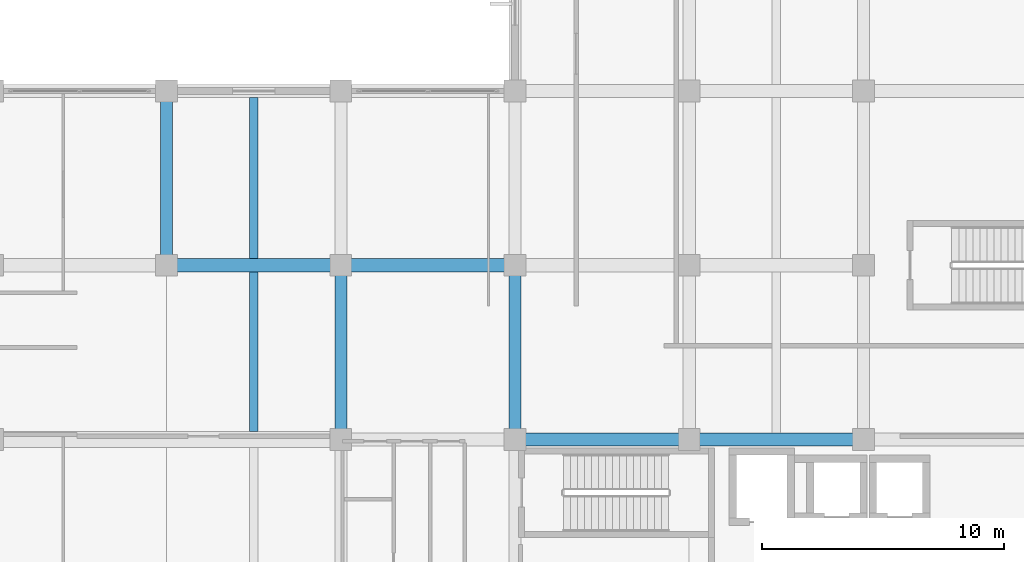
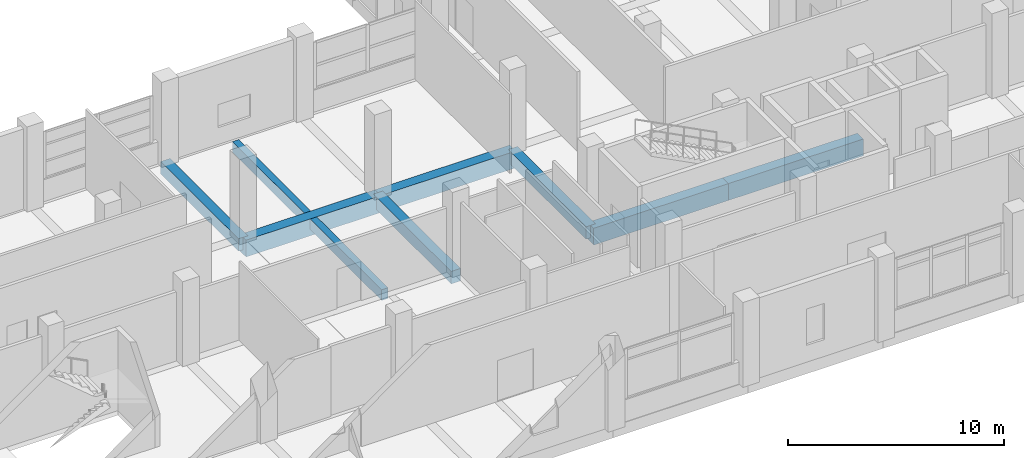
# One storey, part 36 of 181: 9 beams.
"""IFC4 building model written with IfcOpenShell, lengths in metres."""

from ifc_helpers import new_model, si_unit, direction, frame, origin, origin_2d, place, context, subcontext, project, spatial, rectangle, extrude, material, material_profile, profile_set, type_object, element, save


model = new_model("IFC4")

# Units and contexts
model_context = context("Model", 3, precision=1e-05, world=origin(), true_north=direction((0.0, 1.0)))
body_context = subcontext(model_context, "Body", "Model", "MODEL_VIEW")
ifc_project = project(units=[si_unit("LENGTHUNIT", "METRE"), si_unit("AREAUNIT", "SQUARE_METRE"), si_unit("VOLUMEUNIT", "CUBIC_METRE"), si_unit("PLANEANGLEUNIT", "RADIAN"), si_unit("MASSUNIT", "GRAM", prefix="KILO")], contexts=[model_context])

# Site, building, storey
site_placement = place(None, origin())
site = spatial("IfcSite", under=ifc_project, at=site_placement, CompositionType="ELEMENT")
building_placement = place(site_placement, origin())
building = spatial("IfcBuilding", under=site, at=building_placement, Name="Seraya Terrace Polytechnic", CompositionType="ELEMENT")
storey_placement = place(building_placement, frame((0.0, 0.0, 4.800048828125)))
storey = spatial("IfcBuildingStorey", under=building, at=storey_placement, Name="L01", CompositionType="ELEMENT", Elevation=4.800048828125)

# Beams
ifc_material = material(Name="Concrete C40/50", Category="concrete")
ifc_material_profile_1 = material_profile(ifc_material, rectangle(XDim=0.550048828125, YDim=0.949951171875, at=origin_2d()), Name="RC 550x950")
ifc_profile_set_1 = profile_set([ifc_material_profile_1], Name="Concrete C40/50")
beam_type_1 = type_object("IfcBeamType", Name="BM-03", PredefinedType="BEAM", material=ifc_profile_set_1)
beam_1_placement = place(storey_placement, frame((79.199951171875, 14.39990234375, -0.47509765625), z_axis=(1.0, 0.0, 0.0), x_axis=(0.0, 1.0, 0.0)))
element("IfcBeam", 1, at=beam_1_placement, inside=storey, type_object=beam_type_1, Name="Beam BM-03 L01 X (79.2..86.4, 14.4)", PredefinedType="BEAM", context=body_context, shape_type="SweptSolid", body=[
    extrude(rectangle(XDim=0.550048828125, YDim=0.949951171875, at=origin_2d()), origin(), (0.0, 0.0, 1.0), 7.199951171875),
])
beam_2_placement = place(storey_placement, frame((86.39990234375, 14.39990234375, -0.47509765625), z_axis=(1.0, 0.0, 0.0), x_axis=(0.0, 1.0, 0.0)))
element("IfcBeam", 2, at=beam_2_placement, inside=storey, type_object=beam_type_1, Name="Beam BM-03 L01 X (86.4..93.6, 14.4)", PredefinedType="BEAM", context=body_context, shape_type="SweptSolid", body=[
    extrude(rectangle(XDim=0.550048828125, YDim=0.949951171875, at=origin_2d()), origin(), (0.0, 0.0, 1.0), 7.2001953125),
])
for number, where, z_axis, x_axis, name in (
    (3, (64.800048828125, 21.60009765625, -0.47509765625), (1.0, 0.0, 0.0), (0.0, 1.0, 0.0), "Beam BM-03 L01 X (64.8..72.0, 21.6)"),
    (4, (72.0, 21.60009765625, -0.47509765625), (1.0, 0.0, 0.0), (0.0, 1.0, 0.0), "Beam BM-03 L01 X (72.0..79.2, 21.6)"),
):
    element("IfcBeam", number, at=place(storey_placement, frame(where, z_axis=z_axis, x_axis=x_axis)), inside=storey, type_object=beam_type_1, Name=name, PredefinedType="BEAM", context=body_context, shape_type="SweptSolid", body=[
        extrude(rectangle(XDim=0.550048828125, YDim=0.949951171875, at=origin_2d()), origin(), (0.0, 0.0, 1.0), 7.199951171875),
    ])
ifc_material_profile_2 = material_profile(ifc_material, rectangle(XDim=0.5, YDim=0.699951171875, at=origin_2d()), Name="RC 500x700")
ifc_profile_set_2 = profile_set([ifc_material_profile_2], Name="Concrete C40/50")
beam_type_2 = type_object("IfcBeamType", Name="BM-07", PredefinedType="BEAM", material=ifc_profile_set_2)
beam_3_placement = place(storey_placement, frame((64.800048828125, 21.60009765625, -0.35009765625), z_axis=(0.0, 1.0, 0.0), x_axis=(-1.0, 0.0, 0.0)))
element("IfcBeam", 5, at=beam_3_placement, inside=storey, type_object=beam_type_2, Name="Beam BM-07 L01 Y (64.8, 21.6..28.8)", PredefinedType="BEAM", context=body_context, shape_type="SweptSolid", body=[
    extrude(rectangle(XDim=0.5, YDim=0.699951171875, at=origin_2d()), origin(), (0.0, 0.0, 1.0), 7.199951171875),
])
for number, where, z_axis, x_axis, name in (
    (6, (72.0, 14.39990234375, -0.35009765625), (0.0, 1.0, 0.0), (-1.0, 0.0, 0.0), "Beam BM-07 L01 Y (72.0, 14.4..21.6)"),
    (7, (79.199951171875, 14.39990234375, -0.35009765625), (0.0, 1.0, 0.0), (-1.0, 0.0, 0.0), "Beam BM-07 L01 Y (79.2, 14.4..21.6)"),
):
    element("IfcBeam", number, at=place(storey_placement, frame(where, z_axis=z_axis, x_axis=x_axis)), inside=storey, type_object=beam_type_2, Name=name, PredefinedType="BEAM", context=body_context, shape_type="SweptSolid", body=[
        extrude(rectangle(XDim=0.5, YDim=0.699951171875, at=origin_2d()), origin(), (0.0, 0.0, 1.0), 7.2001953125),
    ])
ifc_material_profile_3 = material_profile(ifc_material, rectangle(XDim=0.35009765625, YDim=0.60009765625, at=origin_2d()), Name="RC 350x600")
ifc_profile_set_3 = profile_set([ifc_material_profile_3], Name="Concrete C40/50")
beam_type_3 = type_object("IfcBeamType", Name="JS-02", PredefinedType="JOIST", material=ifc_profile_set_3)
beam_4_placement = place(storey_placement, frame((68.39990234375, 14.72509765625, -0.300048828125), z_axis=(0.0, 1.0, 0.0), x_axis=(-1.0, 0.0, 0.0)))
element("IfcBeam", 8, at=beam_4_placement, inside=storey, type_object=beam_type_3, Name="Secondary joist JS-02 L01", PredefinedType="JOIST", context=body_context, shape_type="SweptSolid", body=[
    extrude(rectangle(XDim=0.35009765625, YDim=0.60009765625, at=origin_2d()), origin(), (0.0, 0.0, 1.0), 6.599853515625),
])
beam_5_placement = place(storey_placement, frame((68.39990234375, 21.875, -0.300048828125), z_axis=(0.0, 1.0, 0.0), x_axis=(-1.0, 0.0, 0.0)))
element("IfcBeam", 9, at=beam_5_placement, inside=storey, type_object=beam_type_3, Name="Secondary joist JS-02 L01", PredefinedType="JOIST", context=body_context, shape_type="SweptSolid", body=[
    extrude(rectangle(XDim=0.35009765625, YDim=0.60009765625, at=origin_2d()), origin(), (0.0, 0.0, 1.0), 6.64990234375),
])

save(model, "model.ifc")
